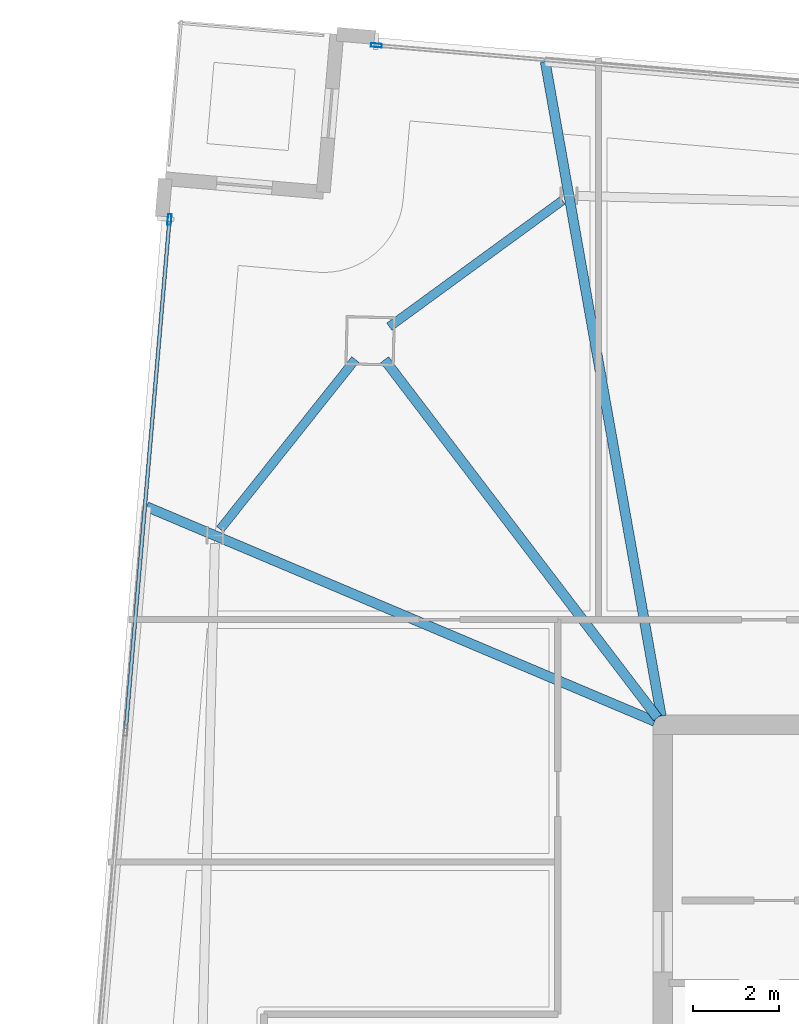
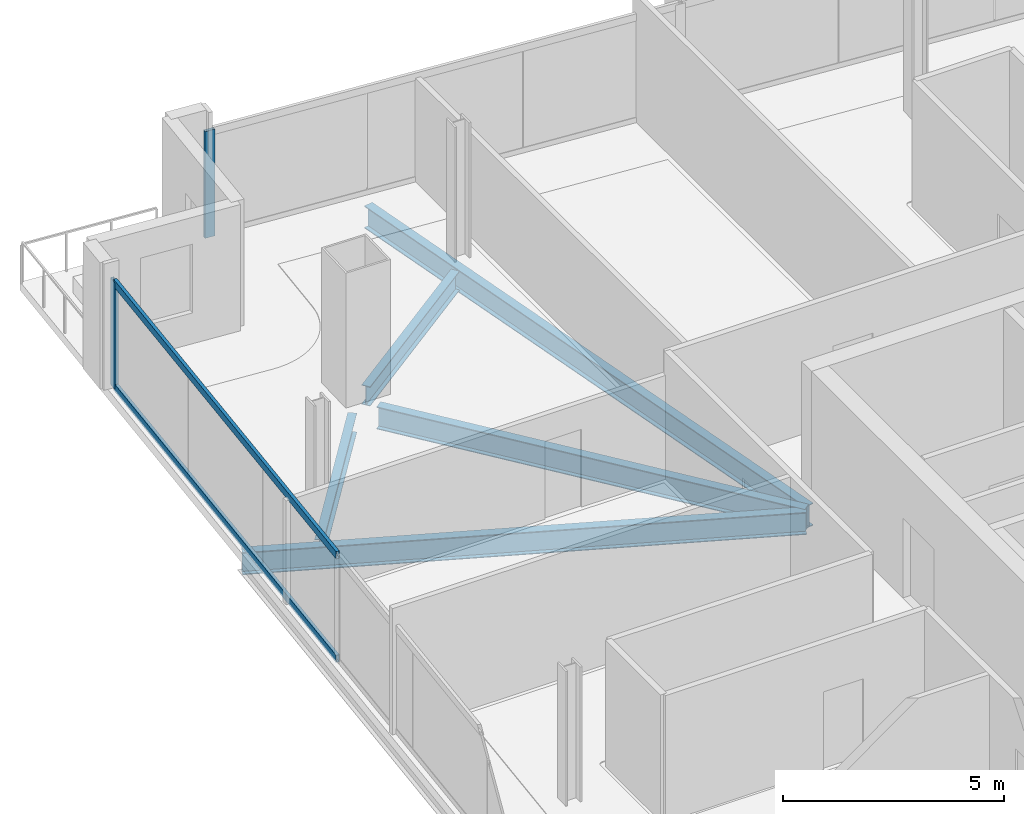
# One storey, part 13 of 24: 5 beams, 4 members, 2 elements without a shape of their own.
"""IFC4 building model written with IfcOpenShell, lengths in metres."""

from ifc_helpers import new_model, si_unit, direction, frame, origin, origin_2d, place, context, subcontext, project, spatial, hollow_rectangle, i_section, extrude, material, material_profile, profile_set, type_object, element, aggregate, save


model = new_model("IFC4")

# Units and contexts
model_context = context("Model", 3, precision=1e-05, world=origin(), true_north=direction((0.0, 1.0)))
body_context = subcontext(model_context, "Body", "Model", "MODEL_VIEW")
ifc_project = project(units=[si_unit("LENGTHUNIT", "METRE"), si_unit("AREAUNIT", "SQUARE_METRE"), si_unit("VOLUMEUNIT", "CUBIC_METRE"), si_unit("PLANEANGLEUNIT", "RADIAN"), si_unit("MASSUNIT", "GRAM", prefix="KILO")], contexts=[model_context])

# Site, building, storey
site_placement = place(None, origin())
site = spatial("IfcSite", under=ifc_project, at=site_placement, CompositionType="ELEMENT")
building_placement = place(site_placement, origin())
building = spatial("IfcBuilding", under=site, at=building_placement, Name="Haldenkirk Collegiate Tower", CompositionType="ELEMENT")
storey_placement = place(building_placement, frame((0.0, 0.0, 313.949951171875)))
storey = spatial("IfcBuildingStorey", under=building, at=storey_placement, Name="L79", CompositionType="ELEMENT", Elevation=313.949951171875)

# Beams
ifc_material_1 = material(Name="Steel ASTM A992 Grade 50", Category="steel")
ifc_material_profile_1 = material_profile(ifc_material_1, i_section(OverallWidth=0.22998046875, OverallDepth=0.616943359375, WebThickness=0.01318359375, FlangeThickness=0.022216796875, at=origin_2d()), Name="W24X94")
ifc_profile_set_1 = profile_set([ifc_material_profile_1], Name="Steel ASTM A992 Grade 50")
beam_type_1 = type_object("IfcBeamType", Name="BM-GIRDER-W24X94", PredefinedType="BEAM", material=ifc_profile_set_1)
beam_1_placement = place(storey_placement, frame((20.510498046875, 42.514404296875, -0.568359375), z_axis=(0.606183308444, -0.79532496287, 0.0), x_axis=(0.79532496287, 0.606183308444, 0.0)))
element("IfcBeam", 1, at=beam_1_placement, inside=storey, type_object=beam_type_1, Name="L79 primary floor girder 03", PredefinedType="BEAM", context=body_context, shape_type="SweptSolid", body=[
    extrude(i_section(OverallWidth=0.22998046875, OverallDepth=0.616943359375, WebThickness=0.01318359375, FlangeThickness=0.022216796875, at=origin_2d()), origin(), (0.0, 0.0, 1.0), 10.50048828125),
])
beam_2_placement = place(storey_placement, frame((24.256103515625, 49.468994140625, -0.568359375), z_axis=(0.174649368766, -0.984630691168, 0.0), x_axis=(0.984630691168, 0.174649368766, 0.0)))
element("IfcBeam", 2, at=beam_2_placement, inside=storey, type_object=beam_type_1, Name="L79 primary floor girder 10", PredefinedType="BEAM", context=body_context, shape_type="SweptSolid", body=[
    extrude(i_section(OverallWidth=0.22998046875, OverallDepth=0.616943359375, WebThickness=0.01318359375, FlangeThickness=0.022216796875, at=origin_2d()), origin(), (0.0, 0.0, 1.0), 15.50537109375),
])
beam_3_placement = place(storey_placement, frame((14.9609375, 39.086669921875, -0.568359375), z_axis=(0.921155990721, -0.389193577488, 0.0), x_axis=(0.389193577488, 0.921155990721, 0.0)))
element("IfcBeam", 3, at=beam_3_placement, inside=storey, type_object=beam_type_1, Name="L79 primary floor girder 11", PredefinedType="BEAM", context=body_context, shape_type="SweptSolid", body=[
    extrude(i_section(OverallWidth=0.22998046875, OverallDepth=0.616943359375, WebThickness=0.01318359375, FlangeThickness=0.022216796875, at=origin_2d()), origin(), (0.0, 0.0, 1.0), 12.86474609375),
])
ifc_material_profile_2 = material_profile(ifc_material_1, i_section(OverallWidth=0.2099609375, OverallDepth=0.537109375, WebThickness=0.010986328125, FlangeThickness=0.017333984375, at=origin_2d()), Name="W21X68")
ifc_profile_set_2 = profile_set([ifc_material_profile_2], Name="Steel ASTM A992 Grade 50")
beam_type_2 = type_object("IfcBeamType", Name="BM-SPANDREL-W21X68", PredefinedType="SPANDREL", material=ifc_profile_set_2)
beam_4_placement = place(storey_placement, frame((24.6591796875, 46.228759765625, -0.528564453125), z_axis=(-0.807792834001, -0.589466485338, 0.0), x_axis=(0.589466485338, -0.807792834001, 0.0)))
element("IfcBeam", 4, at=beam_4_placement, inside=storey, type_object=beam_type_2, Name="L79 perimeter spandrel beam 08", PredefinedType="SPANDREL", context=body_context, shape_type="SweptSolid", body=[
    extrude(i_section(OverallWidth=0.2099609375, OverallDepth=0.537109375, WebThickness=0.010986328125, FlangeThickness=0.017333984375, at=origin_2d()), origin(), (0.0, 0.0, 1.0), 4.997314453125),
])
beam_5_placement = place(storey_placement, frame((19.828369140625, 42.521484375, -0.528564453125), z_axis=(-0.622694005585, -0.782465446783, 0.0), x_axis=(0.782465446783, -0.622694005585, 0.0)))
element("IfcBeam", 5, at=beam_5_placement, inside=storey, type_object=beam_type_2, Name="L79 perimeter spandrel beam 09", PredefinedType="SPANDREL", context=body_context, shape_type="SweptSolid", body=[
    extrude(i_section(OverallWidth=0.2099609375, OverallDepth=0.537109375, WebThickness=0.010986328125, FlangeThickness=0.017333984375, at=origin_2d()), origin(), (0.0, 0.0, 1.0), 5.06396484375),
])

# Curtain wall, member
ifc_material_2 = material(Name="Anodised architectural bronze aluminium", Category="aluminium")
curtain_wall_type = type_object("IfcCurtainWallType", Name="CW-SYS1B-CONVEX-HI", PredefinedType="USERDEFINED", material=ifc_material_2)
curtain_wall_1_placement = place(storey_placement, origin())
curtain_wall_1 = element("IfcCurtainWall", 6, at=curtain_wall_1_placement, inside=storey, type_object=curtain_wall_type, Name="L79 Upper tower high-wind convex bronze unitised curtain wall", ObjectType="UNITISED CURTAIN WALL", PredefinedType="USERDEFINED")
ifc_material_profile_3 = material_profile(ifc_material_2, hollow_rectangle(XDim=0.0849609375, YDim=0.25, WallThickness=0.0048828125, at=origin_2d()), Name="CW-MUL-1B")
ifc_profile_set_3 = profile_set([ifc_material_profile_3], Name="Anodised architectural bronze aluminium")
member_type_1 = type_object("IfcMemberType", Name="CW-MUL-1B", PredefinedType="MULLION", material=ifc_profile_set_3)
member_1_placement = place(storey_placement, frame((20.322021484375, 49.846435546875, 0.0), z_axis=(0.0, 0.0, 1.0), x_axis=(0.085418127117, 0.996345192973, 0.0)))
member_1 = element("IfcMember", 7, at=member_1_placement, type_object=member_type_1, Name="CW-1B mullion 1", PredefinedType="MULLION", context=body_context, shape_type="SweptSolid", body=[
    extrude(hollow_rectangle(XDim=0.0849609375, YDim=0.25, WallThickness=0.0048828125, at=origin_2d()), origin(), (0.0, 0.0, 1.0), 2.947998046875),
])
aggregate(curtain_wall_1, [member_1])

# Curtain wall, members
curtain_wall_2_placement = place(storey_placement, origin())
curtain_wall_2 = element("IfcCurtainWall", 8, at=curtain_wall_2_placement, inside=storey, type_object=curtain_wall_type, Name="L79 Upper tower high-wind convex bronze unitised curtain wall", ObjectType="UNITISED CURTAIN WALL", PredefinedType="USERDEFINED")
member_2_placement = place(storey_placement, frame((15.49462890625, 45.78125, 0.0), z_axis=(0.0, 0.0, 1.0), x_axis=(-0.996345311804, 0.085416741017, 0.0)))
member_2 = element("IfcMember", 9, at=member_2_placement, type_object=member_type_1, Name="CW-1B mullion 4", PredefinedType="MULLION", context=body_context, shape_type="SweptSolid", body=[
    extrude(hollow_rectangle(XDim=0.0849609375, YDim=0.25, WallThickness=0.0048828125, at=origin_2d()), origin(), (0.0, 0.0, 1.0), 2.947998046875),
])
ifc_material_profile_4 = material_profile(ifc_material_2, hollow_rectangle(XDim=0.0849609375, YDim=0.199951171875, WallThickness=0.0048828125, at=origin_2d()), Name="CW-TRN-1B")
ifc_profile_set_4 = profile_set([ifc_material_profile_4], Name="Anodised architectural bronze aluminium")
member_type_2 = type_object("IfcMemberType", Name="CW-TRN-1B", PredefinedType="USERDEFINED", material=ifc_profile_set_4)
member_3_placement = place(storey_placement, frame((14.47705078125, 33.909912109375, 0.04248046875), z_axis=(0.085400558101, 0.996346699034, 0.0), x_axis=(-0.996346699034, 0.085400558101, 0.0)))
member_3 = element("IfcMember", 10, at=member_3_placement, type_object=member_type_2, Name="CW-1B transom 3.1", ObjectType="TRANSOM", PredefinedType="USERDEFINED", context=body_context, shape_type="SweptSolid", body=[
    extrude(hollow_rectangle(XDim=0.0849609375, YDim=0.199951171875, WallThickness=0.0048828125, at=origin_2d()), origin(), (0.0, 0.0, 1.0), 11.87255859375),
])
member_4_placement = place(storey_placement, frame((14.47705078125, 33.909912109375, 2.905517578125), z_axis=(0.085400558101, 0.996346699034, 0.0), x_axis=(-0.996346699034, 0.085400558101, 0.0)))
member_4 = element("IfcMember", 11, at=member_4_placement, type_object=member_type_2, Name="CW-1B transom 3.2", ObjectType="TRANSOM", PredefinedType="USERDEFINED", context=body_context, shape_type="SweptSolid", body=[
    extrude(hollow_rectangle(XDim=0.0849609375, YDim=0.199951171875, WallThickness=0.0048828125, at=origin_2d()), origin(), (0.0, 0.0, 1.0), 11.87255859375),
])
aggregate(curtain_wall_2, [member_2, member_3, member_4])

save(model, "model.ifc")
